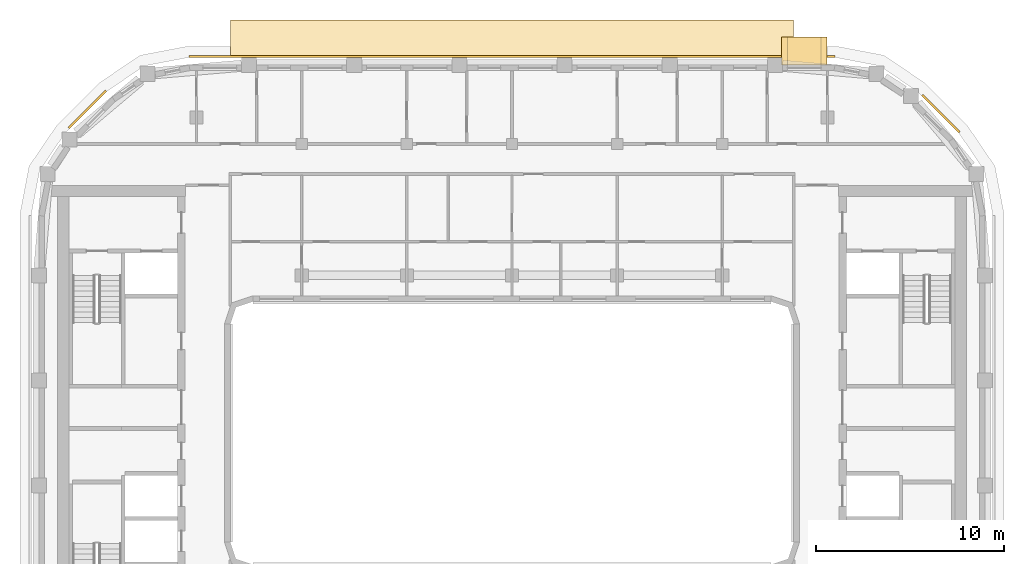
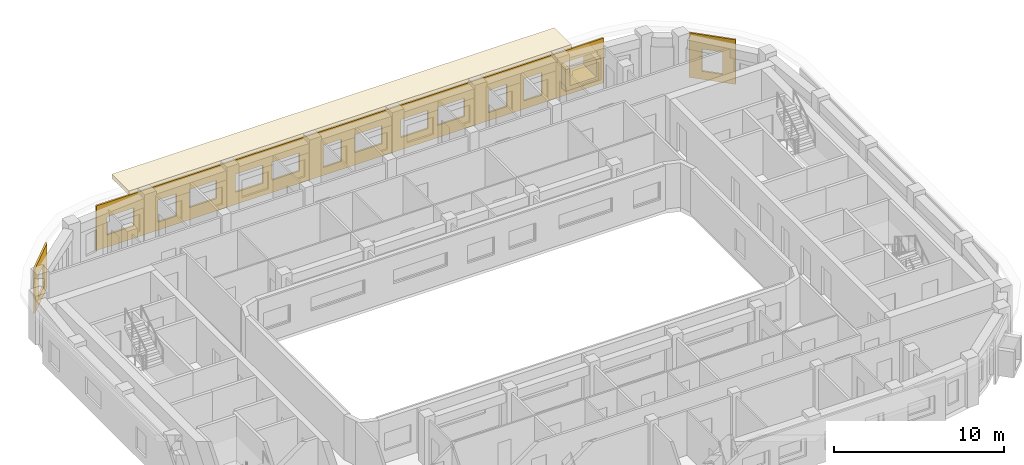
# One storey, part 16 of 16: 6 coverings.
"""IFC4 building model written with IfcOpenShell, lengths in metres."""

from ifc_helpers import new_model, si_unit, direction, frame, origin, origin_2d, place, context, subcontext, project, spatial, polyline, rectangle, outline, extrude, material, layer, layer_set, type_object, element, save


model = new_model("IFC4")

# Units and contexts
model_context = context("Model", 3, precision=1e-05, world=origin(), true_north=direction((0.0, 1.0)))
body_context = subcontext(model_context, "Body", "Model", "MODEL_VIEW")
ifc_project = project(units=[si_unit("LENGTHUNIT", "METRE"), si_unit("AREAUNIT", "SQUARE_METRE"), si_unit("VOLUMEUNIT", "CUBIC_METRE"), si_unit("PLANEANGLEUNIT", "RADIAN"), si_unit("MASSUNIT", "GRAM", prefix="KILO")], contexts=[model_context])

# Site, building, storey
site_placement = place(None, origin())
site = spatial("IfcSite", under=ifc_project, at=site_placement, CompositionType="ELEMENT")
building_placement = place(site_placement, origin())
building = spatial("IfcBuilding", under=site, at=building_placement, Name="Kiln Ring Residences", CompositionType="ELEMENT")
storey_placement = place(building_placement, frame((0.0, 0.0, 255.699951171875)))
storey = spatial("IfcBuildingStorey", under=building, at=storey_placement, Name="L66", CompositionType="ELEMENT", Elevation=255.699951171875)

# Coverings
ifc_material_1 = material(Name="Brick masonry, dark clay brick", Category="masonry")
ifc_layer_1 = layer(ifc_material_1, 0.300048828125)
ifc_layer_set_1 = layer_set([ifc_layer_1], Name="FRAME CHEEKS AND SILL 1500")
covering_type_1 = type_object("IfcCoveringType", Name="FRAME CHEEKS AND SILL 1500", PredefinedType="CLADDING", material=ifc_layer_set_1)
covering_1_placement = place(storey_placement, frame((16.762451171875, 20.35009765625, 0.60009765625), z_axis=(0.0, 0.0, 1.0), x_axis=(-1.0, 0.0, 0.0)))
element("IfcCovering", 1, at=covering_1_placement, inside=storey, type_object=covering_type_1, Name="FRAME L66", PredefinedType="CLADDING", context=body_context, shape_type="SweptSolid", body=[
    extrude(outline(polyline([(0.0, 0.0), (2.39990234375, 0.0), (2.39990234375, 1.550048828125), (2.10107421875, 1.550048828125), (2.10009765625, 0.300048828125), (0.300048828125, 0.300048828125), (0.299072265625, 1.550048828125), (0.0, 1.550048828125), (0.0, 0.0)])), frame((0.0, 0.75, 0.0), z_axis=(0.0, -1.0, 0.0), x_axis=(1.0, 0.0, 0.0)), (0.0, 0.0, 1.0), 1.5),
])
ifc_material_2 = material(Name="Brick masonry, dark clay brick", Category="masonry")
ifc_layer_2 = layer(ifc_material_2, 0.199951171875)
ifc_layer_set_2 = layer_set([ifc_layer_2], Name="FRAME HEAD 1500")
covering_type_2 = type_object("IfcCoveringType", Name="FRAME HEAD 1500", PredefinedType="CLADDING", material=ifc_layer_set_2)
covering_2_placement = place(storey_placement, frame((15.5625, 20.35009765625, 2.14990234375), z_axis=(0.0, 0.0, 1.0), x_axis=(-1.0, 0.0, 0.0)))
element("IfcCovering", 2, at=covering_2_placement, inside=storey, type_object=covering_type_2, Name="FRAME HEAD L66", PredefinedType="CLADDING", context=body_context, shape_type="SweptSolid", body=[
    extrude(rectangle(XDim=2.39990234375, YDim=1.5, at=origin_2d()), origin(), (0.0, 0.0, 1.0), 0.199951171875),
])
ifc_material_3 = material(Name="Brick masonry, dark clay brick", Category="masonry")
ifc_layer_3 = layer(ifc_material_3, 0.1201171875)
ifc_layer_set_3 = layer_set([ifc_layer_3], Name="RAINSCREEN PANEL 120")
covering_type_3 = type_object("IfcCoveringType", Name="RAINSCREEN PANEL 120", PredefinedType="CLADDING", material=ifc_layer_set_3)
covering_3_placement = place(storey_placement, frame((23.828125, 16.022216796875, 0.0), z_axis=(0.0, 0.0, 1.0), x_axis=(-0.707063182409, 0.707150377276, 0.0)))
element("IfcCovering", 3, at=covering_3_placement, inside=storey, type_object=covering_type_3, Name="RAINSCREEN L66", PredefinedType="CLADDING", context=body_context, shape_type="SweptSolid", body=[
    extrude(outline(polyline([(0.0, 0.0), (2.800048828125, 0.0), (2.800048828125, 3.199951171875), (0.0, 3.199951171875), (0.0, 0.0)]), holes=[polyline([(0.780029296875, 2.170166015625), (0.780029296875, 0.580078125), (2.02001953125, 0.580078125), (2.02001953125, 2.170166015625), (0.780029296875, 2.170166015625)])]), frame((0.0, 0.06005859375, 0.0), z_axis=(0.0, -1.0, 0.0), x_axis=(1.0, 0.0, 0.0)), (0.0, 0.0, 1.0), 0.1201171875),
])
covering_4_placement = place(storey_placement, frame((17.199951171875, 20.06005859375, 0.0), z_axis=(0.0, 0.0, 1.0), x_axis=(-1.0, 0.0, 0.0)))
element("IfcCovering", 4, at=covering_4_placement, inside=storey, type_object=covering_type_3, Name="RAINSCREEN L66", PredefinedType="CLADDING", context=body_context, shape_type="SweptSolid", body=[
    extrude(outline(polyline([(0.0, 0.0), (34.39990234375, 0.0), (34.39990234375, 3.199951171875), (0.0, 3.199951171875), (0.0, 0.0)]), holes=[polyline([(4.179931640625, 0.580078125), (5.419921875, 0.580078125), (5.419921875, 2.170166015625), (4.179931640625, 2.170166015625), (4.179931640625, 0.580078125)]), polyline([(6.580078125, 2.170166015625), (6.580078125, 0.580078125), (7.820068359375, 0.580078125), (7.820068359375, 2.170166015625), (6.580078125, 2.170166015625)]), polyline([(0.41748046875, 2.3701171875), (0.41748046875, 0.580078125), (2.857421875, 0.580078125), (2.857421875, 2.3701171875), (0.41748046875, 2.3701171875)]), polyline([(9.4423828125, 0.880126953125), (11.282470703125, 0.880126953125), (11.282470703125, 2.170166015625), (9.4423828125, 2.170166015625), (9.4423828125, 0.880126953125)]), polyline([(11.91748046875, 2.170166015625), (11.91748046875, 0.880126953125), (13.757568359375, 0.880126953125), (13.757568359375, 2.170166015625), (11.91748046875, 2.170166015625)]), polyline([(15.04248046875, 2.170166015625), (15.04248046875, 0.880126953125), (16.882568359375, 0.880126953125), (16.882568359375, 2.170166015625), (15.04248046875, 2.170166015625)]), polyline([(17.780029296875, 0.580078125), (19.02001953125, 0.580078125), (19.02001953125, 2.170166015625), (17.780029296875, 2.170166015625), (17.780029296875, 0.580078125)]), polyline([(28.97998046875, 2.170166015625), (28.97998046875, 0.580078125), (30.219970703125, 0.580078125), (30.219970703125, 2.170166015625), (28.97998046875, 2.170166015625)]), polyline([(20.642578125, 2.170166015625), (20.642578125, 0.880126953125), (22.482421875, 0.880126953125), (22.482421875, 2.170166015625), (20.642578125, 2.170166015625)]), polyline([(23.117431640625, 0.880126953125), (24.95751953125, 0.880126953125), (24.95751953125, 2.170166015625), (23.117431640625, 2.170166015625), (23.117431640625, 0.880126953125)]), polyline([(26.242431640625, 2.170166015625), (26.242431640625, 0.880126953125), (28.08251953125, 0.880126953125), (28.08251953125, 2.170166015625), (26.242431640625, 2.170166015625)]), polyline([(31.842529296875, 2.170166015625), (31.842529296875, 0.880126953125), (33.6826171875, 0.880126953125), (33.6826171875, 2.170166015625), (31.842529296875, 2.170166015625)])]), frame((0.0, 0.06005859375, 0.0), z_axis=(0.0, -1.0, 0.0), x_axis=(1.0, 0.0, 0.0)), (0.0, 0.0, 1.0), 0.1201171875),
])
covering_5_placement = place(storey_placement, frame((-21.622314453125, 18.228271484375, 0.0), z_axis=(0.0, 0.0, 1.0), x_axis=(-0.707106781187, -0.707106781187, 0.0)))
element("IfcCovering", 5, at=covering_5_placement, inside=storey, type_object=covering_type_3, Name="RAINSCREEN L66", PredefinedType="CLADDING", context=body_context, shape_type="SweptSolid", body=[
    extrude(outline(polyline([(0.0, 0.0), (2.800048828125, 0.0), (2.800048828125, 3.199951171875), (0.0, 3.199951171875), (0.0, 0.0)]), holes=[polyline([(0.780029296875, 2.170166015625), (0.780029296875, 0.580078125), (2.02001953125, 0.580078125), (2.02001953125, 2.170166015625), (0.780029296875, 2.170166015625)])]), frame((0.0, 0.06005859375, 0.0), z_axis=(0.0, -1.0, 0.0), x_axis=(1.0, 0.0, 0.0)), (0.0, 0.0, 1.0), 0.1201171875),
])
ifc_material_4 = material(Name="Black powder-coated steel", Category="steel")
ifc_layer_4 = layer(ifc_material_4, 0.300048828125)
ifc_layer_set_4 = layer_set([ifc_layer_4], Name="SUNSHADE BAND 2000")
covering_type_4 = type_object("IfcCoveringType", Name="SUNSHADE BAND 2000", PredefinedType="CLADDING", material=ifc_layer_set_4)
covering_6_placement = place(storey_placement, frame((0.0, 0.0, 3.199951171875)))
element("IfcCovering", 6, at=covering_6_placement, inside=storey, type_object=covering_type_4, Name="SUNSHADE BAND L66", PredefinedType="CLADDING", context=body_context, shape_type="SweptSolid", body=[
    extrude(outline(polyline([(15.0, 22.0), (-15.0, 22.0), (-15.0, 20.0), (15.0, 20.0), (15.0, 22.0)])), origin(), (0.0, 0.0, 1.0), 0.300048828125),
])

save(model, "model.ifc")
